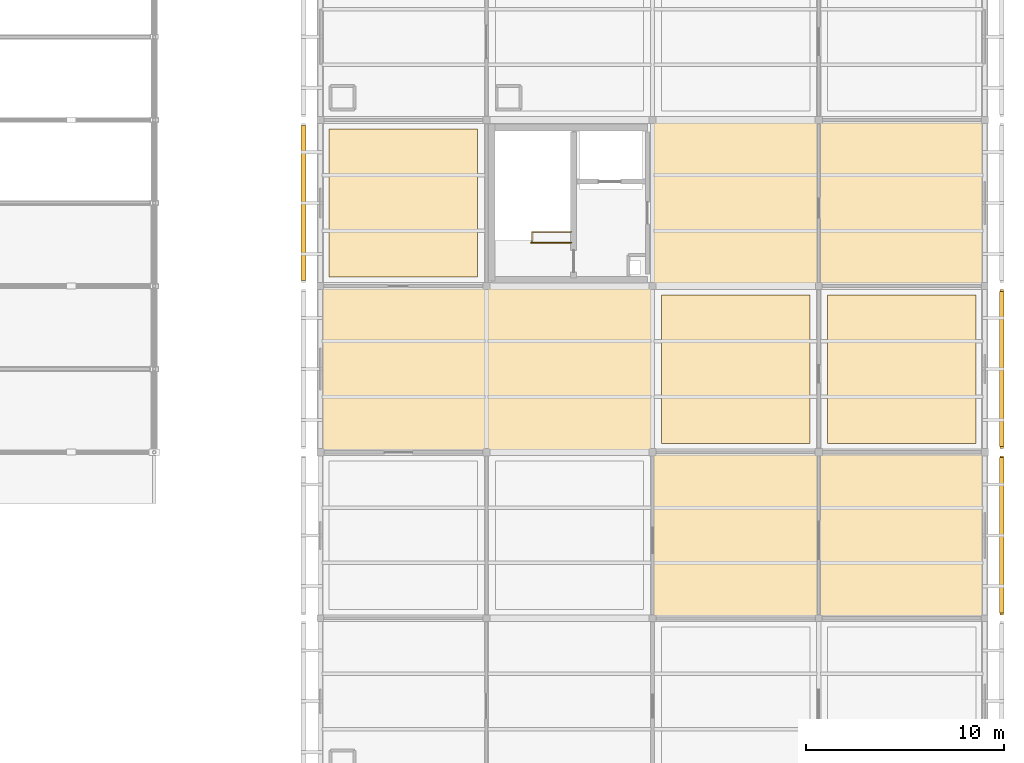
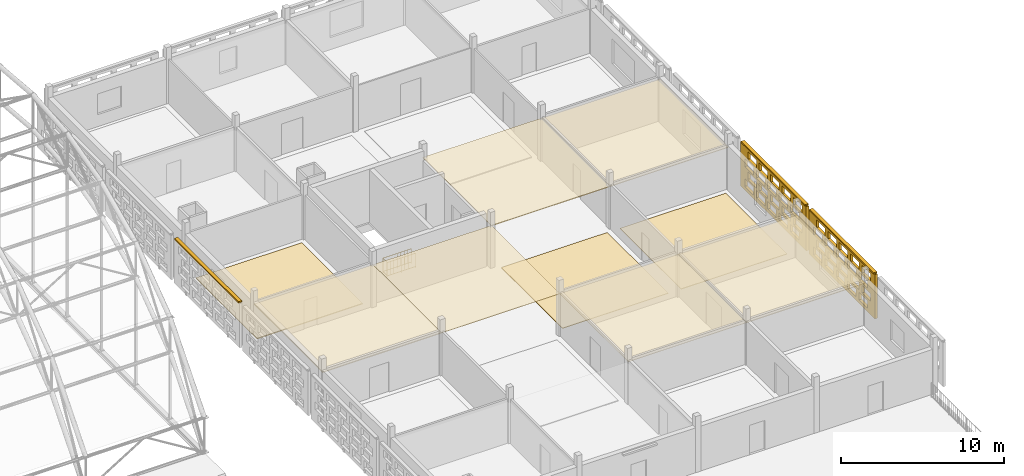
# One storey, part 99 of 103: 11 coverings, 3 shading devices, 2 railings, 40 openings.
"""IFC4 building model written with IfcOpenShell, lengths in metres."""

from ifc_helpers import new_model, si_unit, direction, frame, frame_2d, origin, origin_2d, place, context, subcontext, project, spatial, rectangle, circle, extrude, material, layer, layer_set, type_object, element, save


model = new_model("IFC4")

# Units and contexts
model_context = context("Model", 3, precision=1e-05, world=origin(), true_north=direction((0.0, 1.0)))
body_context = subcontext(model_context, "Body", "Model", "MODEL_VIEW")
ifc_project = project(units=[si_unit("LENGTHUNIT", "METRE"), si_unit("AREAUNIT", "SQUARE_METRE"), si_unit("VOLUMEUNIT", "CUBIC_METRE"), si_unit("PLANEANGLEUNIT", "RADIAN"), si_unit("MASSUNIT", "GRAM", prefix="KILO")], contexts=[model_context])

# Site, building, storey
site_placement = place(None, origin())
site = spatial("IfcSite", under=ifc_project, at=site_placement, CompositionType="ELEMENT")
building_placement = place(site_placement, origin())
building = spatial("IfcBuilding", under=site, at=building_placement, Name="Varnapada Polytechnic", CompositionType="ELEMENT")
storey_placement = place(building_placement, frame((0.0, 0.0, 18.0)))
storey = spatial("IfcBuildingStorey", under=building, at=storey_placement, Name="L04", CompositionType="ELEMENT", Elevation=18.0)

# Coverings
ifc_material_1 = material(Name="Anti-Static Raised Laboratory Flooring")
ifc_layer_1 = layer(ifc_material_1, 0.06005859375)
ifc_layer_set_1 = layer_set([ifc_layer_1], Name="Anti-Static Raised Laboratory Flooring")
covering_type_1 = type_object("IfcCoveringType", Name="Floor Finish FLR-02", PredefinedType="FLOORING", material=ifc_layer_set_1)
covering_1_placement = place(storey_placement, frame((147.0, 96.60009765625, 0.0), z_axis=(0.0, 0.0, 1.0), x_axis=(1.0, 0.0, 0.0)))
element("IfcCovering", 1, at=covering_1_placement, inside=storey, type_object=covering_type_1, Name="L04 floor finish panel (18,12)", PredefinedType="FLOORING", context=body_context, shape_type="SweptSolid", body=[
    extrude(rectangle(XDim=7.5, YDim=7.5, at=origin_2d()), origin(), (0.0, 0.0, 1.0), 0.06005859375),
])
ifc_material_2 = material(Name="Acoustic Rubber Seminar Flooring")
ifc_layer_2 = layer(ifc_material_2, 0.0400390625)
ifc_layer_set_2 = layer_set([ifc_layer_2], Name="Acoustic Rubber Seminar Flooring")
covering_type_2 = type_object("IfcCoveringType", Name="Floor Finish FLR-06", PredefinedType="FLOORING", material=ifc_layer_set_2)
for number, where, z_axis, x_axis, name in (
    (2, (163.800048828125, 88.199951171875, 0.0), (0.0, 0.0, 1.0), (1.0, 0.0, 0.0), "L04 floor finish panel (20,11)"),
    (3, (172.199951171875, 88.199951171875, 0.0), (0.0, 0.0, 1.0), (1.0, 0.0, 0.0), "L04 floor finish panel (21,11)"),
):
    element("IfcCovering", number, at=place(storey_placement, frame(where, z_axis=z_axis, x_axis=x_axis)), inside=storey, type_object=covering_type_2, Name=name, PredefinedType="FLOORING", context=body_context, shape_type="SweptSolid", body=[
        extrude(rectangle(XDim=7.5, YDim=7.5, at=origin_2d()), origin(), (0.0, 0.0, 1.0), 0.0400390625),
    ])

# Railings
ifc_material_3 = material(Name="Brushed Stainless Steel 316", Category="steel")
railing_type = type_object("IfcRailingType", Name="Stair Well Guard Rail SGR-01", PredefinedType="BALUSTRADE", material=ifc_material_3)
railing_1_placement = place(storey_placement, frame((155.5, 94.60009765625, 0.0)))
element("IfcRailing", 4, at=railing_1_placement, inside=storey, type_object=railing_type, Name="L04 ST-5 top well guard 1", PredefinedType="BALUSTRADE", context=body_context, shape_type="SweptSolid", body=[
    extrude(circle(Radius=0.02392578125, at=origin_2d()), frame((0.0, 0.0, 1.09619140625), z_axis=(-1.0, 0.0, 0.0), x_axis=(0.0, -1.0, 0.0)), (0.0, 0.0, 1.0), 2.050048828125),
    extrude(circle(Radius=0.02392578125, at=origin_2d()), frame((0.0, 0.0, 0.10009765625), z_axis=(-1.0, 0.0, 0.0), x_axis=(0.0, -1.0, 0.0)), (0.0, 0.0, 1.0), 2.050048828125),
    extrude(circle(Radius=0.02099609375, at=origin_2d()), origin(), (0.0, 0.0, 1.0), 1.072021484375),
    extrude(circle(Radius=0.02099609375, at=origin_2d()), frame((-1.02490234375, 0.0, 0.0)), (0.0, 0.0, 1.0), 1.072021484375),
    extrude(circle(Radius=0.02099609375, at=origin_2d()), frame((-2.050048828125, 0.0, 0.0)), (0.0, 0.0, 1.0), 1.072021484375),
    extrude(circle(Radius=0.010009765625, at=origin_2d()), frame((-0.25634765625, 0.0, 0.10009765625)), (0.0, 0.0, 1.0), 0.971923828125),
    extrude(circle(Radius=0.010009765625, at=origin_2d()), frame((-0.512451171875, 0.0, 0.10009765625)), (0.0, 0.0, 1.0), 0.971923828125),
    extrude(circle(Radius=0.010009765625, at=origin_2d()), frame((-0.768798828125, 0.0, 0.10009765625)), (0.0, 0.0, 1.0), 0.971923828125),
    extrude(circle(Radius=0.010009765625, at=origin_2d()), frame((-1.02490234375, 0.0, 0.10009765625)), (0.0, 0.0, 1.0), 0.971923828125),
    extrude(circle(Radius=0.010009765625, at=origin_2d()), frame((-1.28125, 0.0, 0.10009765625)), (0.0, 0.0, 1.0), 0.971923828125),
    extrude(circle(Radius=0.010009765625, at=origin_2d()), frame((-1.53759765625, 0.0, 0.10009765625)), (0.0, 0.0, 1.0), 0.971923828125),
    extrude(circle(Radius=0.010009765625, at=origin_2d()), frame((-1.793701171875, 0.0, 0.10009765625)), (0.0, 0.0, 1.0), 0.971923828125),
])
railing_2_placement = place(storey_placement, frame((153.5, 94.64990234375, 0.0)))
element("IfcRailing", 5, at=railing_2_placement, inside=storey, type_object=railing_type, Name="L04 C5 top stair-well guard", PredefinedType="BALUSTRADE", context=body_context, shape_type="SweptSolid", body=[
    extrude(circle(Radius=0.02392578125, at=origin_2d()), frame((0.0, 0.0, 1.09619140625), z_axis=(0.0, 1.0, 0.0), x_axis=(-1.0, 0.0, 0.0)), (0.0, 0.0, 1.0), 0.489990234375),
    extrude(circle(Radius=0.02392578125, at=origin_2d()), frame((0.0, 0.0, 0.10009765625), z_axis=(0.0, 1.0, 0.0), x_axis=(-1.0, 0.0, 0.0)), (0.0, 0.0, 1.0), 0.489990234375),
    extrude(circle(Radius=0.02392578125, at=origin_2d()), frame((0.0, 0.489990234375, 1.09619140625), z_axis=(1.0, 0.0, 0.0), x_axis=(0.0, 1.0, 0.0)), (0.0, 0.0, 1.0), 2.0),
    extrude(circle(Radius=0.02392578125, at=origin_2d()), frame((0.0, 0.489990234375, 0.10009765625), z_axis=(1.0, 0.0, 0.0), x_axis=(0.0, 1.0, 0.0)), (0.0, 0.0, 1.0), 2.0),
    extrude(circle(Radius=0.02099609375, at=origin_2d()), origin(), (0.0, 0.0, 1.0), 1.072021484375),
    extrude(circle(Radius=0.02099609375, at=origin_2d()), frame((0.0, 0.489990234375, 0.0)), (0.0, 0.0, 1.0), 1.072021484375),
    extrude(circle(Radius=0.02099609375, at=origin_2d()), frame((1.0, 0.489990234375, 0.0)), (0.0, 0.0, 1.0), 1.072021484375),
    extrude(circle(Radius=0.02099609375, at=origin_2d()), frame((2.0, 0.489990234375, 0.0)), (0.0, 0.0, 1.0), 1.072021484375),
    extrude(circle(Radius=0.010009765625, at=origin_2d()), frame((0.0, 0.2451171875, 0.10009765625)), (0.0, 0.0, 1.0), 0.971923828125),
    extrude(circle(Radius=0.010009765625, at=origin_2d()), frame((0.25, 0.489990234375, 0.10009765625)), (0.0, 0.0, 1.0), 0.971923828125),
    extrude(circle(Radius=0.010009765625, at=origin_2d()), frame((0.5, 0.489990234375, 0.10009765625)), (0.0, 0.0, 1.0), 0.971923828125),
    extrude(circle(Radius=0.010009765625, at=origin_2d()), frame((0.75, 0.489990234375, 0.10009765625)), (0.0, 0.0, 1.0), 0.971923828125),
    extrude(circle(Radius=0.010009765625, at=origin_2d()), frame((1.0, 0.489990234375, 0.10009765625)), (0.0, 0.0, 1.0), 0.971923828125),
    extrude(circle(Radius=0.010009765625, at=origin_2d()), frame((1.25, 0.489990234375, 0.10009765625)), (0.0, 0.0, 1.0), 0.971923828125),
    extrude(circle(Radius=0.010009765625, at=origin_2d()), frame((1.5, 0.489990234375, 0.10009765625)), (0.0, 0.0, 1.0), 0.971923828125),
    extrude(circle(Radius=0.010009765625, at=origin_2d()), frame((1.75, 0.489990234375, 0.10009765625)), (0.0, 0.0, 1.0), 0.971923828125),
])

# Coverings
ifc_material_4 = material(Name="Perforated Timber Slatted Baffle Ceiling", Category="wood")
ifc_layer_3 = layer(ifc_material_4, 0.050048828125)
ifc_layer_set_3 = layer_set([ifc_layer_3], Name="Perforated Timber Slatted Baffle Ceiling")
covering_type_3 = type_object("IfcCoveringType", Name="Suspended Ceiling CLG-02", PredefinedType="CEILING", material=ifc_layer_set_3)
covering_2_placement = place(storey_placement, frame((172.199951171875, 79.800048828125, 3.02490234375), z_axis=(0.0, 0.0, 1.0), x_axis=(1.0, 0.0, 0.0)))
element("IfcCovering", 6, at=covering_2_placement, inside=storey, type_object=covering_type_3, Name="L04 suspended acoustic ceiling (21,10)", PredefinedType="CEILING", context=body_context, shape_type="SweptSolid", body=[
    extrude(rectangle(XDim=8.419921875, YDim=8.419921875, at=origin_2d()), origin(), (0.0, 0.0, 1.0), 0.050048828125),
])
ifc_material_5 = material(Name="Moisture-Resistant Aluminum Baffle Ceiling", Category="aluminium")
ifc_layer_4 = layer(ifc_material_5, 0.030029296875)
ifc_layer_set_4 = layer_set([ifc_layer_4], Name="Moisture-Resistant Aluminum Baffle Ceiling")
covering_type_4 = type_object("IfcCoveringType", Name="Suspended Ceiling CLG-03", PredefinedType="CEILING", material=ifc_layer_set_4)
covering_3_placement = place(storey_placement, frame((163.800048828125, 79.800048828125, 3.03515625), z_axis=(0.0, 0.0, 1.0), x_axis=(1.0, 0.0, 0.0)))
element("IfcCovering", 7, at=covering_3_placement, inside=storey, type_object=covering_type_4, Name="L04 suspended acoustic ceiling (20,10)", PredefinedType="CEILING", context=body_context, shape_type="SweptSolid", body=[
    extrude(rectangle(XDim=8.419921875, YDim=8.419921875, at=origin_2d()), origin(), (0.0, 0.0, 1.0), 0.030029296875),
])
ifc_material_6 = material(Name="Micro-Perforated Gypsum Acoustic Ceiling")
ifc_layer_5 = layer(ifc_material_6, 0.044921875)
ifc_layer_set_5 = layer_set([ifc_layer_5], Name="Micro-Perforated Gypsum Acoustic Ceiling")
covering_type_5 = type_object("IfcCoveringType", Name="Suspended Ceiling CLG-04", PredefinedType="CEILING", material=ifc_layer_set_5)
covering_4_placement = place(storey_placement, frame((172.199951171875, 96.60009765625, 3.027587890625), z_axis=(0.0, 0.0, 1.0), x_axis=(1.0, 0.0, 0.0)))
element("IfcCovering", 8, at=covering_4_placement, inside=storey, type_object=covering_type_5, Name="L04 suspended acoustic ceiling (21,12)", PredefinedType="CEILING", context=body_context, shape_type="SweptSolid", body=[
    extrude(rectangle(XDim=8.419921875, YDim=8.419921875, at=origin_2d()), origin(), (0.0, 0.0, 1.0), 0.044921875),
])
ifc_material_7 = material(Name="Slatted Merbau Timber Acoustic Ceiling", Category="wood")
ifc_layer_6 = layer(ifc_material_7, 0.054931640625)
ifc_layer_set_6 = layer_set([ifc_layer_6], Name="Slatted Merbau Timber Acoustic Ceiling")
covering_type_6 = type_object("IfcCoveringType", Name="Suspended Ceiling CLG-05", PredefinedType="CEILING", material=ifc_layer_set_6)
covering_5_placement = place(storey_placement, frame((163.800048828125, 96.60009765625, 3.0224609375), z_axis=(0.0, 0.0, 1.0), x_axis=(1.0, 0.0, 0.0)))
element("IfcCovering", 9, at=covering_5_placement, inside=storey, type_object=covering_type_6, Name="L04 suspended acoustic ceiling (20,12)", PredefinedType="CEILING", context=body_context, shape_type="SweptSolid", body=[
    extrude(rectangle(XDim=8.419921875, YDim=8.419921875, at=origin_2d()), origin(), (0.0, 0.0, 1.0), 0.054931640625),
])
ifc_material_8 = material(Name="Cleanroom Laboratory Metal Pan Ceiling")
ifc_layer_7 = layer(ifc_material_8, 0.034912109375)
ifc_layer_set_7 = layer_set([ifc_layer_7], Name="Cleanroom Laboratory Metal Pan Ceiling")
covering_type_7 = type_object("IfcCoveringType", Name="Suspended Ceiling CLG-06", PredefinedType="CEILING", material=ifc_layer_set_7)
covering_6_placement = place(storey_placement, frame((155.39990234375, 88.199951171875, 3.03271484375), z_axis=(0.0, 0.0, 1.0), x_axis=(1.0, 0.0, 0.0)))
element("IfcCovering", 10, at=covering_6_placement, inside=storey, type_object=covering_type_7, Name="L04 suspended acoustic ceiling (19,11)", PredefinedType="CEILING", context=body_context, shape_type="SweptSolid", body=[
    extrude(rectangle(XDim=8.419921875, YDim=8.419921875, at=origin_2d()), origin(), (0.0, 0.0, 1.0), 0.034912109375),
])
ifc_material_9 = material(Name="Deep Acoustic Auditorium Cloud Baffle")
ifc_layer_8 = layer(ifc_material_9, 0.06494140625)
ifc_layer_set_8 = layer_set([ifc_layer_8], Name="Deep Acoustic Auditorium Cloud Baffle")
covering_type_8 = type_object("IfcCoveringType", Name="Suspended Ceiling CLG-07", PredefinedType="CEILING", material=ifc_layer_set_8)
covering_7_placement = place(storey_placement, frame((147.0, 88.199951171875, 3.017578125), z_axis=(0.0, 0.0, 1.0), x_axis=(1.0, 0.0, 0.0)))
element("IfcCovering", 11, at=covering_7_placement, inside=storey, type_object=covering_type_8, Name="L04 suspended acoustic ceiling (18,11)", PredefinedType="CEILING", context=body_context, shape_type="SweptSolid", body=[
    extrude(rectangle(XDim=8.419921875, YDim=8.419921875, at=origin_2d()), origin(), (0.0, 0.0, 1.0), 0.06494140625),
])

# Covering, openings
ifc_material_10 = material(Name="Earth-toned architectural terracotta screen block", Category="masonry")
ifc_layer_9 = layer(ifc_material_10, 0.1201171875)
ifc_layer_set_9 = layer_set([ifc_layer_9], Name="Earth-toned architectural terracotta screen block")
covering_type_9 = type_object("IfcCoveringType", Name="Terracotta Screen Cladding CLD-01", PredefinedType="CLADDING", material=ifc_layer_set_9)
covering_8_placement = place(storey_placement, frame((177.25, 83.820068359375, 0.0), z_axis=(0.0, 0.0, 1.0), x_axis=(0.0, -1.0, 0.0)))
covering_8 = element("IfcCovering", 12, at=covering_8_placement, inside=storey, type_object=covering_type_9, Name="L04 perforated terracotta block screen (55)", PredefinedType="CLADDING", context=body_context, shape_type="SweptSolid", body=[
    extrude(rectangle(XDim=8.050048828125, YDim=0.179931640625, at=frame_2d((4.02490234375, 0.0))), origin(), (0.0, 0.0, 1.0), 3.320068359375),
])
opening_1_placement = place(covering_8_placement, frame((0.52490234375, 0.0, 0.265625)))
element("IfcOpeningElement", 13, at=opening_1_placement, cuts=covering_8, Name="Screen perforation TBS-L04-054.1", PredefinedType="OPENING", context=body_context, shape_type="SweptSolid", body=[
    extrude(rectangle(XDim=1.0400390625, YDim=0.5810546875, at=frame_2d((0.52001953125, 0.29052734375))), frame((0.0, 0.099853515625, 0.0), z_axis=(0.0, -1.0, 0.0), x_axis=(1.0, 0.0, 0.0)), (0.0, 0.0, 1.0), 0.199951171875),
])
opening_2_placement = place(covering_8_placement, frame((1.925048828125, 0.0, 0.265625)))
element("IfcOpeningElement", 14, at=opening_2_placement, cuts=covering_8, Name="Screen perforation TBS-L04-054.2", PredefinedType="OPENING", context=body_context, shape_type="SweptSolid", body=[
    extrude(rectangle(XDim=1.0400390625, YDim=0.5810546875, at=frame_2d((0.52001953125, 0.29052734375))), frame((0.0, 0.099853515625, 0.0), z_axis=(0.0, -1.0, 0.0), x_axis=(1.0, 0.0, 0.0)), (0.0, 0.0, 1.0), 0.199951171875),
])
opening_3_placement = place(covering_8_placement, frame((3.324951171875, 0.0, 0.265625)))
element("IfcOpeningElement", 15, at=opening_3_placement, cuts=covering_8, Name="Screen perforation TBS-L04-054.3", PredefinedType="OPENING", context=body_context, shape_type="SweptSolid", body=[
    extrude(rectangle(XDim=1.0400390625, YDim=0.5810546875, at=frame_2d((0.52001953125, 0.29052734375))), frame((0.0, 0.099853515625, 0.0), z_axis=(0.0, -1.0, 0.0), x_axis=(1.0, 0.0, 0.0)), (0.0, 0.0, 1.0), 0.199951171875),
])
opening_4_placement = place(covering_8_placement, frame((4.72509765625, 0.0, 0.265625)))
element("IfcOpeningElement", 16, at=opening_4_placement, cuts=covering_8, Name="Screen perforation TBS-L04-054.4", PredefinedType="OPENING", context=body_context, shape_type="SweptSolid", body=[
    extrude(rectangle(XDim=1.0400390625, YDim=0.5810546875, at=frame_2d((0.52001953125, 0.29052734375))), frame((0.0, 0.099853515625, 0.0), z_axis=(0.0, -1.0, 0.0), x_axis=(1.0, 0.0, 0.0)), (0.0, 0.0, 1.0), 0.199951171875),
])
opening_5_placement = place(covering_8_placement, frame((6.125, 0.0, 0.265625)))
element("IfcOpeningElement", 17, at=opening_5_placement, cuts=covering_8, Name="Screen perforation TBS-L04-054.5", PredefinedType="OPENING", context=body_context, shape_type="SweptSolid", body=[
    extrude(rectangle(XDim=1.0400390625, YDim=0.5810546875, at=frame_2d((0.52001953125, 0.29052734375))), frame((0.0, 0.099853515625, 0.0), z_axis=(0.0, -1.0, 0.0), x_axis=(1.0, 0.0, 0.0)), (0.0, 0.0, 1.0), 0.199951171875),
])
opening_6_placement = place(covering_8_placement, frame((0.885009765625, 0.0, 1.0126953125)))
element("IfcOpeningElement", 18, at=opening_6_placement, cuts=covering_8, Name="Screen perforation TBS-L04-054.6", PredefinedType="OPENING", context=body_context, shape_type="SweptSolid", body=[
    extrude(rectangle(XDim=1.0400390625, YDim=0.5810546875, at=frame_2d((0.52001953125, 0.29052734375))), frame((0.0, 0.099853515625, 0.0), z_axis=(0.0, -1.0, 0.0), x_axis=(1.0, 0.0, 0.0)), (0.0, 0.0, 1.0), 0.199951171875),
])
opening_7_placement = place(covering_8_placement, frame((2.284912109375, 0.0, 1.0126953125)))
element("IfcOpeningElement", 19, at=opening_7_placement, cuts=covering_8, Name="Screen perforation TBS-L04-054.7", PredefinedType="OPENING", context=body_context, shape_type="SweptSolid", body=[
    extrude(rectangle(XDim=1.0400390625, YDim=0.5810546875, at=frame_2d((0.52001953125, 0.29052734375))), frame((0.0, 0.099853515625, 0.0), z_axis=(0.0, -1.0, 0.0), x_axis=(1.0, 0.0, 0.0)), (0.0, 0.0, 1.0), 0.199951171875),
])
opening_8_placement = place(covering_8_placement, frame((3.68505859375, 0.0, 1.0126953125)))
element("IfcOpeningElement", 20, at=opening_8_placement, cuts=covering_8, Name="Screen perforation TBS-L04-054.8", PredefinedType="OPENING", context=body_context, shape_type="SweptSolid", body=[
    extrude(rectangle(XDim=1.0400390625, YDim=0.5810546875, at=frame_2d((0.52001953125, 0.29052734375))), frame((0.0, 0.099853515625, 0.0), z_axis=(0.0, -1.0, 0.0), x_axis=(1.0, 0.0, 0.0)), (0.0, 0.0, 1.0), 0.199951171875),
])
opening_9_placement = place(covering_8_placement, frame((5.0849609375, 0.0, 1.0126953125)))
element("IfcOpeningElement", 21, at=opening_9_placement, cuts=covering_8, Name="Screen perforation TBS-L04-054.9", PredefinedType="OPENING", context=body_context, shape_type="SweptSolid", body=[
    extrude(rectangle(XDim=1.0400390625, YDim=0.5810546875, at=frame_2d((0.52001953125, 0.29052734375))), frame((0.0, 0.099853515625, 0.0), z_axis=(0.0, -1.0, 0.0), x_axis=(1.0, 0.0, 0.0)), (0.0, 0.0, 1.0), 0.199951171875),
])
opening_10_placement = place(covering_8_placement, frame((6.485107421875, 0.0, 1.0126953125)))
element("IfcOpeningElement", 22, at=opening_10_placement, cuts=covering_8, Name="Screen perforation TBS-L04-054.10", PredefinedType="OPENING", context=body_context, shape_type="SweptSolid", body=[
    extrude(rectangle(XDim=1.0400390625, YDim=0.5810546875, at=frame_2d((0.52001953125, 0.29052734375))), frame((0.0, 0.099853515625, 0.0), z_axis=(0.0, -1.0, 0.0), x_axis=(1.0, 0.0, 0.0)), (0.0, 0.0, 1.0), 0.199951171875),
])
opening_11_placement = place(covering_8_placement, frame((0.52490234375, 0.0, 1.759521484375)))
element("IfcOpeningElement", 23, at=opening_11_placement, cuts=covering_8, Name="Screen perforation TBS-L04-054.11", PredefinedType="OPENING", context=body_context, shape_type="SweptSolid", body=[
    extrude(rectangle(XDim=1.0400390625, YDim=0.5810546875, at=frame_2d((0.52001953125, 0.29052734375))), frame((0.0, 0.099853515625, 0.0), z_axis=(0.0, -1.0, 0.0), x_axis=(1.0, 0.0, 0.0)), (0.0, 0.0, 1.0), 0.199951171875),
])
opening_12_placement = place(covering_8_placement, frame((1.925048828125, 0.0, 1.759521484375)))
element("IfcOpeningElement", 24, at=opening_12_placement, cuts=covering_8, Name="Screen perforation TBS-L04-054.12", PredefinedType="OPENING", context=body_context, shape_type="SweptSolid", body=[
    extrude(rectangle(XDim=1.0400390625, YDim=0.5810546875, at=frame_2d((0.52001953125, 0.29052734375))), frame((0.0, 0.099853515625, 0.0), z_axis=(0.0, -1.0, 0.0), x_axis=(1.0, 0.0, 0.0)), (0.0, 0.0, 1.0), 0.199951171875),
])
opening_13_placement = place(covering_8_placement, frame((3.324951171875, 0.0, 1.759521484375)))
element("IfcOpeningElement", 25, at=opening_13_placement, cuts=covering_8, Name="Screen perforation TBS-L04-054.13", PredefinedType="OPENING", context=body_context, shape_type="SweptSolid", body=[
    extrude(rectangle(XDim=1.0400390625, YDim=0.5810546875, at=frame_2d((0.52001953125, 0.29052734375))), frame((0.0, 0.099853515625, 0.0), z_axis=(0.0, -1.0, 0.0), x_axis=(1.0, 0.0, 0.0)), (0.0, 0.0, 1.0), 0.199951171875),
])
opening_14_placement = place(covering_8_placement, frame((4.72509765625, 0.0, 1.759521484375)))
element("IfcOpeningElement", 26, at=opening_14_placement, cuts=covering_8, Name="Screen perforation TBS-L04-054.14", PredefinedType="OPENING", context=body_context, shape_type="SweptSolid", body=[
    extrude(rectangle(XDim=1.0400390625, YDim=0.5810546875, at=frame_2d((0.52001953125, 0.29052734375))), frame((0.0, 0.099853515625, 0.0), z_axis=(0.0, -1.0, 0.0), x_axis=(1.0, 0.0, 0.0)), (0.0, 0.0, 1.0), 0.199951171875),
])
opening_15_placement = place(covering_8_placement, frame((6.125, 0.0, 1.759521484375)))
element("IfcOpeningElement", 27, at=opening_15_placement, cuts=covering_8, Name="Screen perforation TBS-L04-054.15", PredefinedType="OPENING", context=body_context, shape_type="SweptSolid", body=[
    extrude(rectangle(XDim=1.0400390625, YDim=0.5810546875, at=frame_2d((0.52001953125, 0.29052734375))), frame((0.0, 0.099853515625, 0.0), z_axis=(0.0, -1.0, 0.0), x_axis=(1.0, 0.0, 0.0)), (0.0, 0.0, 1.0), 0.199951171875),
])
opening_16_placement = place(covering_8_placement, frame((0.885009765625, 0.0, 2.506591796875)))
element("IfcOpeningElement", 28, at=opening_16_placement, cuts=covering_8, Name="Screen perforation TBS-L04-054.16", PredefinedType="OPENING", context=body_context, shape_type="SweptSolid", body=[
    extrude(rectangle(XDim=1.0400390625, YDim=0.5810546875, at=frame_2d((0.52001953125, 0.29052734375))), frame((0.0, 0.099853515625, 0.0), z_axis=(0.0, -1.0, 0.0), x_axis=(1.0, 0.0, 0.0)), (0.0, 0.0, 1.0), 0.199951171875),
])
opening_17_placement = place(covering_8_placement, frame((2.284912109375, 0.0, 2.506591796875)))
element("IfcOpeningElement", 29, at=opening_17_placement, cuts=covering_8, Name="Screen perforation TBS-L04-054.17", PredefinedType="OPENING", context=body_context, shape_type="SweptSolid", body=[
    extrude(rectangle(XDim=1.0400390625, YDim=0.5810546875, at=frame_2d((0.52001953125, 0.29052734375))), frame((0.0, 0.099853515625, 0.0), z_axis=(0.0, -1.0, 0.0), x_axis=(1.0, 0.0, 0.0)), (0.0, 0.0, 1.0), 0.199951171875),
])
opening_18_placement = place(covering_8_placement, frame((3.68505859375, 0.0, 2.506591796875)))
element("IfcOpeningElement", 30, at=opening_18_placement, cuts=covering_8, Name="Screen perforation TBS-L04-054.18", PredefinedType="OPENING", context=body_context, shape_type="SweptSolid", body=[
    extrude(rectangle(XDim=1.0400390625, YDim=0.5810546875, at=frame_2d((0.52001953125, 0.29052734375))), frame((0.0, 0.099853515625, 0.0), z_axis=(0.0, -1.0, 0.0), x_axis=(1.0, 0.0, 0.0)), (0.0, 0.0, 1.0), 0.199951171875),
])
opening_19_placement = place(covering_8_placement, frame((5.0849609375, 0.0, 2.506591796875)))
element("IfcOpeningElement", 31, at=opening_19_placement, cuts=covering_8, Name="Screen perforation TBS-L04-054.19", PredefinedType="OPENING", context=body_context, shape_type="SweptSolid", body=[
    extrude(rectangle(XDim=1.0400390625, YDim=0.5810546875, at=frame_2d((0.52001953125, 0.29052734375))), frame((0.0, 0.099853515625, 0.0), z_axis=(0.0, -1.0, 0.0), x_axis=(1.0, 0.0, 0.0)), (0.0, 0.0, 1.0), 0.199951171875),
])
opening_20_placement = place(covering_8_placement, frame((6.485107421875, 0.0, 2.506591796875)))
element("IfcOpeningElement", 32, at=opening_20_placement, cuts=covering_8, Name="Screen perforation TBS-L04-054.20", PredefinedType="OPENING", context=body_context, shape_type="SweptSolid", body=[
    extrude(rectangle(XDim=1.0400390625, YDim=0.5810546875, at=frame_2d((0.52001953125, 0.29052734375))), frame((0.0, 0.099853515625, 0.0), z_axis=(0.0, -1.0, 0.0), x_axis=(1.0, 0.0, 0.0)), (0.0, 0.0, 1.0), 0.199951171875),
])

covering_9_placement = place(storey_placement, frame((177.25, 92.22998046875, 0.0), z_axis=(0.0, 0.0, 1.0), x_axis=(0.0, -1.0, 0.0)))
covering_9 = element("IfcCovering", 33, at=covering_9_placement, inside=storey, type_object=covering_type_9, Name="L04 perforated terracotta block screen (56)", PredefinedType="CLADDING", context=body_context, shape_type="SweptSolid", body=[
    extrude(rectangle(XDim=8.050048828125, YDim=0.179931640625, at=frame_2d((4.02490234375, 0.0))), origin(), (0.0, 0.0, 1.0), 3.320068359375),
])
opening_21_placement = place(covering_9_placement, frame((0.52490234375, 0.0, 0.265625)))
element("IfcOpeningElement", 34, at=opening_21_placement, cuts=covering_9, Name="Screen perforation TBS-L04-055.1", PredefinedType="OPENING", context=body_context, shape_type="SweptSolid", body=[
    extrude(rectangle(XDim=1.0400390625, YDim=0.5810546875, at=frame_2d((0.52001953125, 0.29052734375))), frame((0.0, 0.099853515625, 0.0), z_axis=(0.0, -1.0, 0.0), x_axis=(1.0, 0.0, 0.0)), (0.0, 0.0, 1.0), 0.199951171875),
])
opening_22_placement = place(covering_9_placement, frame((1.925048828125, 0.0, 0.265625)))
element("IfcOpeningElement", 35, at=opening_22_placement, cuts=covering_9, Name="Screen perforation TBS-L04-055.2", PredefinedType="OPENING", context=body_context, shape_type="SweptSolid", body=[
    extrude(rectangle(XDim=1.0400390625, YDim=0.5810546875, at=frame_2d((0.52001953125, 0.29052734375))), frame((0.0, 0.099853515625, 0.0), z_axis=(0.0, -1.0, 0.0), x_axis=(1.0, 0.0, 0.0)), (0.0, 0.0, 1.0), 0.199951171875),
])
opening_23_placement = place(covering_9_placement, frame((3.324951171875, 0.0, 0.265625)))
element("IfcOpeningElement", 36, at=opening_23_placement, cuts=covering_9, Name="Screen perforation TBS-L04-055.3", PredefinedType="OPENING", context=body_context, shape_type="SweptSolid", body=[
    extrude(rectangle(XDim=1.0400390625, YDim=0.5810546875, at=frame_2d((0.52001953125, 0.29052734375))), frame((0.0, 0.099853515625, 0.0), z_axis=(0.0, -1.0, 0.0), x_axis=(1.0, 0.0, 0.0)), (0.0, 0.0, 1.0), 0.199951171875),
])
opening_24_placement = place(covering_9_placement, frame((4.72509765625, 0.0, 0.265625)))
element("IfcOpeningElement", 37, at=opening_24_placement, cuts=covering_9, Name="Screen perforation TBS-L04-055.4", PredefinedType="OPENING", context=body_context, shape_type="SweptSolid", body=[
    extrude(rectangle(XDim=1.0400390625, YDim=0.5810546875, at=frame_2d((0.52001953125, 0.29052734375))), frame((0.0, 0.099853515625, 0.0), z_axis=(0.0, -1.0, 0.0), x_axis=(1.0, 0.0, 0.0)), (0.0, 0.0, 1.0), 0.199951171875),
])
opening_25_placement = place(covering_9_placement, frame((6.125, 0.0, 0.265625)))
element("IfcOpeningElement", 38, at=opening_25_placement, cuts=covering_9, Name="Screen perforation TBS-L04-055.5", PredefinedType="OPENING", context=body_context, shape_type="SweptSolid", body=[
    extrude(rectangle(XDim=1.0400390625, YDim=0.5810546875, at=frame_2d((0.52001953125, 0.29052734375))), frame((0.0, 0.099853515625, 0.0), z_axis=(0.0, -1.0, 0.0), x_axis=(1.0, 0.0, 0.0)), (0.0, 0.0, 1.0), 0.199951171875),
])
opening_26_placement = place(covering_9_placement, frame((0.885009765625, 0.0, 1.0126953125)))
element("IfcOpeningElement", 39, at=opening_26_placement, cuts=covering_9, Name="Screen perforation TBS-L04-055.6", PredefinedType="OPENING", context=body_context, shape_type="SweptSolid", body=[
    extrude(rectangle(XDim=1.0400390625, YDim=0.5810546875, at=frame_2d((0.52001953125, 0.29052734375))), frame((0.0, 0.099853515625, 0.0), z_axis=(0.0, -1.0, 0.0), x_axis=(1.0, 0.0, 0.0)), (0.0, 0.0, 1.0), 0.199951171875),
])
opening_27_placement = place(covering_9_placement, frame((2.284912109375, 0.0, 1.0126953125)))
element("IfcOpeningElement", 40, at=opening_27_placement, cuts=covering_9, Name="Screen perforation TBS-L04-055.7", PredefinedType="OPENING", context=body_context, shape_type="SweptSolid", body=[
    extrude(rectangle(XDim=1.0400390625, YDim=0.5810546875, at=frame_2d((0.52001953125, 0.29052734375))), frame((0.0, 0.099853515625, 0.0), z_axis=(0.0, -1.0, 0.0), x_axis=(1.0, 0.0, 0.0)), (0.0, 0.0, 1.0), 0.199951171875),
])
opening_28_placement = place(covering_9_placement, frame((3.68505859375, 0.0, 1.0126953125)))
element("IfcOpeningElement", 41, at=opening_28_placement, cuts=covering_9, Name="Screen perforation TBS-L04-055.8", PredefinedType="OPENING", context=body_context, shape_type="SweptSolid", body=[
    extrude(rectangle(XDim=1.0400390625, YDim=0.5810546875, at=frame_2d((0.52001953125, 0.29052734375))), frame((0.0, 0.099853515625, 0.0), z_axis=(0.0, -1.0, 0.0), x_axis=(1.0, 0.0, 0.0)), (0.0, 0.0, 1.0), 0.199951171875),
])
opening_29_placement = place(covering_9_placement, frame((5.0849609375, 0.0, 1.0126953125)))
element("IfcOpeningElement", 42, at=opening_29_placement, cuts=covering_9, Name="Screen perforation TBS-L04-055.9", PredefinedType="OPENING", context=body_context, shape_type="SweptSolid", body=[
    extrude(rectangle(XDim=1.0400390625, YDim=0.5810546875, at=frame_2d((0.52001953125, 0.29052734375))), frame((0.0, 0.099853515625, 0.0), z_axis=(0.0, -1.0, 0.0), x_axis=(1.0, 0.0, 0.0)), (0.0, 0.0, 1.0), 0.199951171875),
])
opening_30_placement = place(covering_9_placement, frame((6.485107421875, 0.0, 1.0126953125)))
element("IfcOpeningElement", 43, at=opening_30_placement, cuts=covering_9, Name="Screen perforation TBS-L04-055.10", PredefinedType="OPENING", context=body_context, shape_type="SweptSolid", body=[
    extrude(rectangle(XDim=1.0400390625, YDim=0.5810546875, at=frame_2d((0.52001953125, 0.29052734375))), frame((0.0, 0.099853515625, 0.0), z_axis=(0.0, -1.0, 0.0), x_axis=(1.0, 0.0, 0.0)), (0.0, 0.0, 1.0), 0.199951171875),
])
opening_31_placement = place(covering_9_placement, frame((0.52490234375, 0.0, 1.759521484375)))
element("IfcOpeningElement", 44, at=opening_31_placement, cuts=covering_9, Name="Screen perforation TBS-L04-055.11", PredefinedType="OPENING", context=body_context, shape_type="SweptSolid", body=[
    extrude(rectangle(XDim=1.0400390625, YDim=0.5810546875, at=frame_2d((0.52001953125, 0.29052734375))), frame((0.0, 0.099853515625, 0.0), z_axis=(0.0, -1.0, 0.0), x_axis=(1.0, 0.0, 0.0)), (0.0, 0.0, 1.0), 0.199951171875),
])
opening_32_placement = place(covering_9_placement, frame((1.925048828125, 0.0, 1.759521484375)))
element("IfcOpeningElement", 45, at=opening_32_placement, cuts=covering_9, Name="Screen perforation TBS-L04-055.12", PredefinedType="OPENING", context=body_context, shape_type="SweptSolid", body=[
    extrude(rectangle(XDim=1.0400390625, YDim=0.5810546875, at=frame_2d((0.52001953125, 0.29052734375))), frame((0.0, 0.099853515625, 0.0), z_axis=(0.0, -1.0, 0.0), x_axis=(1.0, 0.0, 0.0)), (0.0, 0.0, 1.0), 0.199951171875),
])
opening_33_placement = place(covering_9_placement, frame((3.324951171875, 0.0, 1.759521484375)))
element("IfcOpeningElement", 46, at=opening_33_placement, cuts=covering_9, Name="Screen perforation TBS-L04-055.13", PredefinedType="OPENING", context=body_context, shape_type="SweptSolid", body=[
    extrude(rectangle(XDim=1.0400390625, YDim=0.5810546875, at=frame_2d((0.52001953125, 0.29052734375))), frame((0.0, 0.099853515625, 0.0), z_axis=(0.0, -1.0, 0.0), x_axis=(1.0, 0.0, 0.0)), (0.0, 0.0, 1.0), 0.199951171875),
])
opening_34_placement = place(covering_9_placement, frame((4.72509765625, 0.0, 1.759521484375)))
element("IfcOpeningElement", 47, at=opening_34_placement, cuts=covering_9, Name="Screen perforation TBS-L04-055.14", PredefinedType="OPENING", context=body_context, shape_type="SweptSolid", body=[
    extrude(rectangle(XDim=1.0400390625, YDim=0.5810546875, at=frame_2d((0.52001953125, 0.29052734375))), frame((0.0, 0.099853515625, 0.0), z_axis=(0.0, -1.0, 0.0), x_axis=(1.0, 0.0, 0.0)), (0.0, 0.0, 1.0), 0.199951171875),
])
opening_35_placement = place(covering_9_placement, frame((6.125, 0.0, 1.759521484375)))
element("IfcOpeningElement", 48, at=opening_35_placement, cuts=covering_9, Name="Screen perforation TBS-L04-055.15", PredefinedType="OPENING", context=body_context, shape_type="SweptSolid", body=[
    extrude(rectangle(XDim=1.0400390625, YDim=0.5810546875, at=frame_2d((0.52001953125, 0.29052734375))), frame((0.0, 0.099853515625, 0.0), z_axis=(0.0, -1.0, 0.0), x_axis=(1.0, 0.0, 0.0)), (0.0, 0.0, 1.0), 0.199951171875),
])
opening_36_placement = place(covering_9_placement, frame((0.885009765625, 0.0, 2.506591796875)))
element("IfcOpeningElement", 49, at=opening_36_placement, cuts=covering_9, Name="Screen perforation TBS-L04-055.16", PredefinedType="OPENING", context=body_context, shape_type="SweptSolid", body=[
    extrude(rectangle(XDim=1.0400390625, YDim=0.5810546875, at=frame_2d((0.52001953125, 0.29052734375))), frame((0.0, 0.099853515625, 0.0), z_axis=(0.0, -1.0, 0.0), x_axis=(1.0, 0.0, 0.0)), (0.0, 0.0, 1.0), 0.199951171875),
])
opening_37_placement = place(covering_9_placement, frame((2.284912109375, 0.0, 2.506591796875)))
element("IfcOpeningElement", 50, at=opening_37_placement, cuts=covering_9, Name="Screen perforation TBS-L04-055.17", PredefinedType="OPENING", context=body_context, shape_type="SweptSolid", body=[
    extrude(rectangle(XDim=1.0400390625, YDim=0.5810546875, at=frame_2d((0.52001953125, 0.29052734375))), frame((0.0, 0.099853515625, 0.0), z_axis=(0.0, -1.0, 0.0), x_axis=(1.0, 0.0, 0.0)), (0.0, 0.0, 1.0), 0.199951171875),
])
opening_38_placement = place(covering_9_placement, frame((3.68505859375, 0.0, 2.506591796875)))
element("IfcOpeningElement", 51, at=opening_38_placement, cuts=covering_9, Name="Screen perforation TBS-L04-055.18", PredefinedType="OPENING", context=body_context, shape_type="SweptSolid", body=[
    extrude(rectangle(XDim=1.0400390625, YDim=0.5810546875, at=frame_2d((0.52001953125, 0.29052734375))), frame((0.0, 0.099853515625, 0.0), z_axis=(0.0, -1.0, 0.0), x_axis=(1.0, 0.0, 0.0)), (0.0, 0.0, 1.0), 0.199951171875),
])
opening_39_placement = place(covering_9_placement, frame((5.0849609375, 0.0, 2.506591796875)))
element("IfcOpeningElement", 52, at=opening_39_placement, cuts=covering_9, Name="Screen perforation TBS-L04-055.19", PredefinedType="OPENING", context=body_context, shape_type="SweptSolid", body=[
    extrude(rectangle(XDim=1.0400390625, YDim=0.5810546875, at=frame_2d((0.52001953125, 0.29052734375))), frame((0.0, 0.099853515625, 0.0), z_axis=(0.0, -1.0, 0.0), x_axis=(1.0, 0.0, 0.0)), (0.0, 0.0, 1.0), 0.199951171875),
])
opening_40_placement = place(covering_9_placement, frame((6.485107421875, 0.0, 2.506591796875)))
element("IfcOpeningElement", 53, at=opening_40_placement, cuts=covering_9, Name="Screen perforation TBS-L04-055.20", PredefinedType="OPENING", context=body_context, shape_type="SweptSolid", body=[
    extrude(rectangle(XDim=1.0400390625, YDim=0.5810546875, at=frame_2d((0.52001953125, 0.29052734375))), frame((0.0, 0.099853515625, 0.0), z_axis=(0.0, -1.0, 0.0), x_axis=(1.0, 0.0, 0.0)), (0.0, 0.0, 1.0), 0.199951171875),
])

# Shading devices
ifc_layer_10 = layer(ifc_material_10, 0.179931640625)
ifc_layer_set_10 = layer_set([ifc_layer_10], Name="Earth-toned architectural terracotta screen block")
shading_device_type = type_object("IfcShadingDeviceType", Name="Terracotta Screen SCR-01", PredefinedType="USERDEFINED", material=ifc_layer_set_10)
for number, where, z_axis, x_axis, name in (
    (54, (141.949951171875, 96.594970703125, 3.31005859375), (0.0, 0.0, 1.0), (0.0, 1.0, 0.0), "L04 perforated terracotta screen hood 463"),
    (55, (177.25, 79.794921875, 3.31005859375), (0.0, 0.0, 1.0), (0.0, -1.0, 0.0), "L04 perforated terracotta screen hood 470"),
    (56, (177.25, 88.205078125, 3.31005859375), (0.0, 0.0, 1.0), (0.0, -1.0, 0.0), "L04 perforated terracotta screen hood 471"),
):
    element("IfcShadingDevice", number, at=place(storey_placement, frame(where, z_axis=z_axis, x_axis=x_axis)), inside=storey, type_object=shading_device_type, Name=name, ObjectType="SCREEN", PredefinedType="USERDEFINED", context=body_context, shape_type="SweptSolid", body=[
        extrude(rectangle(XDim=7.85009765625, YDim=0.239990234375, at=origin_2d()), origin(), (0.0, 0.0, 1.0), 0.10009765625),
    ])

save(model, "model.ifc")
